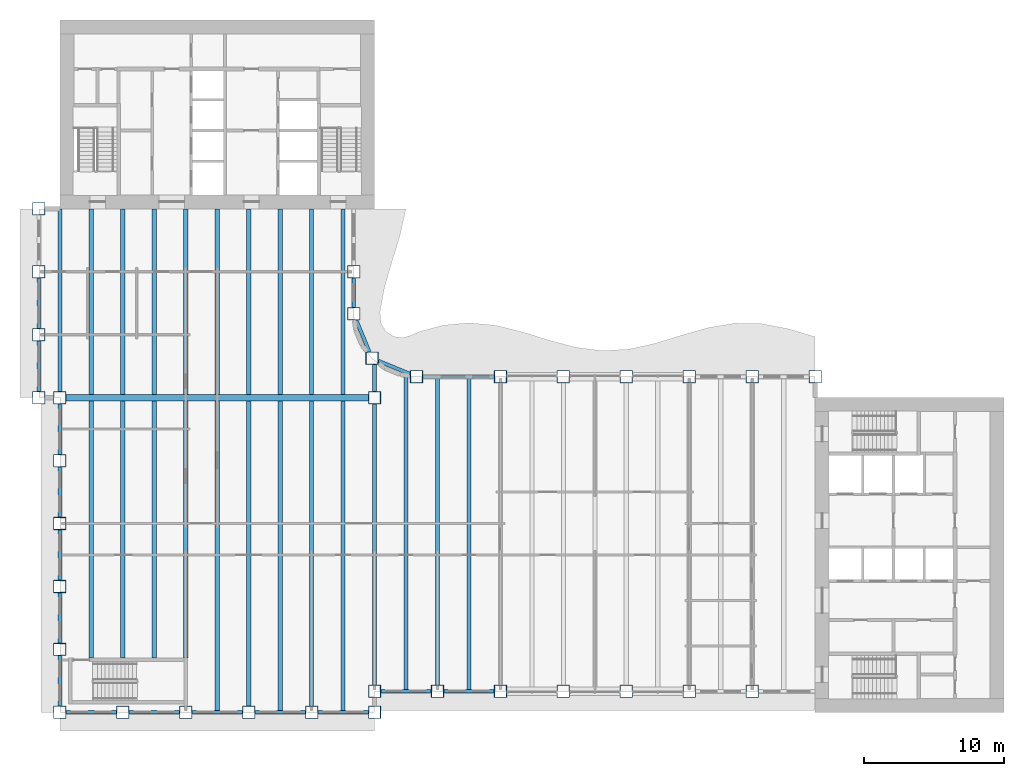
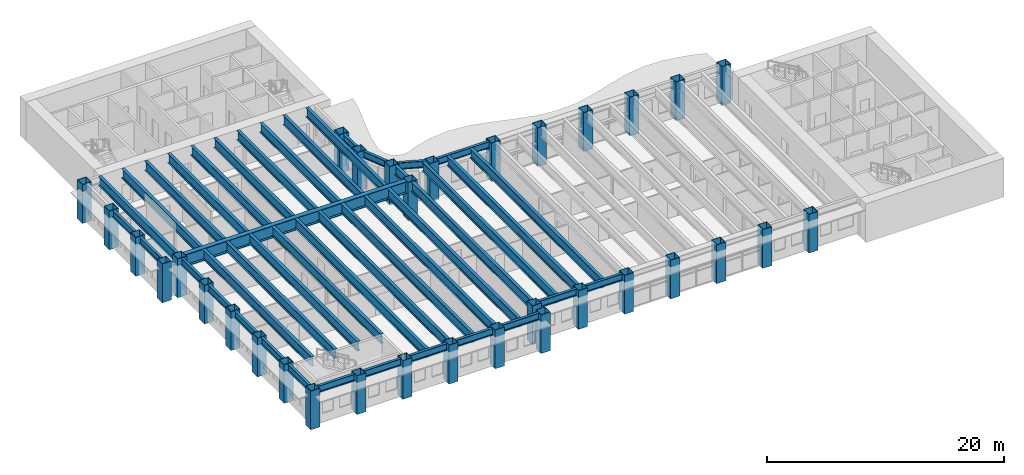
# One storey, part 1 of 17: 43 beams, 33 columns.
"""IFC4 building model written with IfcOpenShell, lengths in metres."""

from ifc_helpers import new_model, si_unit, direction, frame, origin, origin_2d, place, context, subcontext, project, spatial, hollow_rectangle, i_section, extrude, material, material_profile, profile_set, type_object, element, save


model = new_model("IFC4")

# Units and contexts
model_context = context("Model", 3, precision=1e-05, world=origin(), true_north=direction((0.0, 1.0)))
body_context = subcontext(model_context, "Body", "Model", "MODEL_VIEW")
ifc_project = project(units=[si_unit("LENGTHUNIT", "METRE"), si_unit("AREAUNIT", "SQUARE_METRE"), si_unit("VOLUMEUNIT", "CUBIC_METRE"), si_unit("PLANEANGLEUNIT", "RADIAN"), si_unit("MASSUNIT", "GRAM", prefix="KILO")], contexts=[model_context])

# Site, building, storey
site_placement = place(None, origin())
site = spatial("IfcSite", under=ifc_project, at=site_placement, CompositionType="ELEMENT")
building_placement = place(site_placement, origin())
building = spatial("IfcBuilding", under=site, at=building_placement, Name="Sennacour Bend Tower", CompositionType="ELEMENT")
storey_placement = place(building_placement, frame((0.0, 0.0, 155.0)))
storey = spatial("IfcBuildingStorey", under=building, at=storey_placement, Name="L35", CompositionType="ELEMENT", Elevation=155.0)

# Columns
ifc_material_1 = material(Name="Steel ASTM A572 Grade 50", Category="steel")
ifc_material_profile_1 = material_profile(ifc_material_1, hollow_rectangle(XDim=0.89990234375, YDim=0.89990234375, WallThickness=0.044921875, at=origin_2d()), Name="Steel ASTM A572 Grade 50", Category="steel")
ifc_profile_set_1 = profile_set([ifc_material_profile_1], Name="Steel ASTM A572 Grade 50")
column_type = type_object("IfcColumnType", Name="Box column 900", PredefinedType="COLUMN", material=ifc_profile_set_1)
for number, where, z_axis, x_axis, name in (
    (1, (-1.5, 22.5, -0.14990234375), (0.0, 0.0, 1.0), (1.0, 0.0, 0.0), "Perimeter column C3 L35-001"),
    (2, (-1.5, 27.0, -0.14990234375), (0.0, 0.0, 1.0), (1.0, 0.0, 0.0), "Perimeter column C3 L35-002"),
    (3, (-1.5, 31.5, -0.14990234375), (0.0, 0.0, 1.0), (1.0, 0.0, 0.0), "Perimeter column C3 L35-003"),
    (4, (-1.5, 36.0, -0.14990234375), (0.0, 0.0, 1.0), (1.0, 0.0, 0.0), "Perimeter column C3 L35-004"),
    (5, (0.0, 0.0, -0.14990234375), (0.0, 0.0, 1.0), (1.0, 0.0, 0.0), "Perimeter column C3 L35-005"),
    (6, (0.0, 4.5, -0.14990234375), (0.0, 0.0, 1.0), (1.0, 0.0, 0.0), "Perimeter column C3 L35-006"),
    (7, (0.0, 9.0, -0.14990234375), (0.0, 0.0, 1.0), (1.0, 0.0, 0.0), "Perimeter column C3 L35-007"),
    (8, (0.0, 13.5, -0.14990234375), (0.0, 0.0, 1.0), (1.0, 0.0, 0.0), "Perimeter column C3 L35-008"),
    (9, (0.0, 18.0, -0.14990234375), (0.0, 0.0, 1.0), (1.0, 0.0, 0.0), "Perimeter column C3 L35-009"),
    (10, (0.0, 22.5, -0.14990234375), (0.0, 0.0, 1.0), (1.0, 0.0, 0.0), "Perimeter column C3 L35-010"),
    (11, (4.5, 0.0, -0.14990234375), (0.0, 0.0, 1.0), (1.0, 0.0, 0.0), "Perimeter column C3 L35-011"),
    (12, (9.0, 0.0, -0.14990234375), (0.0, 0.0, 1.0), (1.0, 0.0, 0.0), "Perimeter column C3 L35-012"),
    (13, (13.5, 0.0, -0.14990234375), (0.0, 0.0, 1.0), (1.0, 0.0, 0.0), "Perimeter column C3 L35-013"),
    (14, (18.0, 0.0, -0.14990234375), (0.0, 0.0, 1.0), (1.0, 0.0, 0.0), "Perimeter column C3 L35-014"),
    (15, (21.0, 28.5, -0.14990234375), (0.0, 0.0, 1.0), (1.0, 0.0, 0.0), "Perimeter column C3 L35-015"),
    (16, (21.0, 31.5, -0.14990234375), (0.0, 0.0, 1.0), (1.0, 0.0, 0.0), "Perimeter column C3 L35-016"),
    (17, (22.318115234375, 25.318115234375, -0.14990234375), (0.0, 0.0, 1.0), (1.0, 0.0, 0.0), "Perimeter column C3 L35-017"),
    (18, (22.5, 0.0, -0.14990234375), (0.0, 0.0, 1.0), (1.0, 0.0, 0.0), "Perimeter column C3 L35-018"),
    (19, (22.5, 1.5, -0.14990234375), (0.0, 0.0, 1.0), (1.0, 0.0, 0.0), "Perimeter column C3 L35-019"),
    (20, (22.5, 22.5, -0.14990234375), (0.0, 0.0, 1.0), (1.0, 0.0, 0.0), "Knuckle column C3 L35-020"),
    (21, (25.5, 24.0, -0.14990234375), (0.0, 0.0, 1.0), (1.0, 0.0, 0.0), "Perimeter column C3 L35-021"),
    (22, (27.0, 1.5, -0.14990234375), (0.0, 0.0, 1.0), (1.0, 0.0, 0.0), "Perimeter column C3 L35-022"),
    (23, (31.5, 1.5, -0.14990234375), (0.0, 0.0, 1.0), (1.0, 0.0, 0.0), "Perimeter column C3 L35-023"),
    (24, (31.5, 24.0, -0.14990234375), (0.0, 0.0, 1.0), (1.0, 0.0, 0.0), "Perimeter column C3 L35-024"),
    (25, (36.0, 1.5, -0.14990234375), (0.0, 0.0, 1.0), (1.0, 0.0, 0.0), "Perimeter column C3 L35-025"),
    (26, (36.0, 24.0, -0.14990234375), (0.0, 0.0, 1.0), (1.0, 0.0, 0.0), "Perimeter column C3 L35-026"),
    (27, (40.5, 1.5, -0.14990234375), (0.0, 0.0, 1.0), (1.0, 0.0, 0.0), "Perimeter column C3 L35-027"),
    (28, (40.5, 24.0, -0.14990234375), (0.0, 0.0, 1.0), (1.0, 0.0, 0.0), "Perimeter column C3 L35-028"),
    (29, (45.0, 1.5, -0.14990234375), (0.0, 0.0, 1.0), (1.0, 0.0, 0.0), "Perimeter column C3 L35-029"),
    (30, (45.0, 24.0, -0.14990234375), (0.0, 0.0, 1.0), (1.0, 0.0, 0.0), "Perimeter column C3 L35-030"),
    (31, (49.5, 1.5, -0.14990234375), (0.0, 0.0, 1.0), (1.0, 0.0, 0.0), "Perimeter column C3 L35-031"),
    (32, (49.5, 24.0, -0.14990234375), (0.0, 0.0, 1.0), (1.0, 0.0, 0.0), "Perimeter column C3 L35-032"),
    (33, (54.0, 24.0, -0.14990234375), (0.0, 0.0, 1.0), (1.0, 0.0, 0.0), "Perimeter column C3 L35-033"),
):
    element("IfcColumn", number, at=place(storey_placement, frame(where, z_axis=z_axis, x_axis=x_axis)), inside=storey, type_object=column_type, Name=name, PredefinedType="COLUMN", context=body_context, shape_type="SweptSolid", body=[
        extrude(hollow_rectangle(XDim=0.89990234375, YDim=0.89990234375, WallThickness=0.044921875, at=origin_2d()), origin(), (0.0, 0.0, 1.0), 4.0),
    ])

# Beams
ifc_material_2 = material(Name="Steel ASTM A992 Grade 50", Category="steel")
ifc_material_profile_2 = material_profile(ifc_material_2, i_section(OverallWidth=0.300048828125, OverallDepth=0.97998046875, WebThickness=0.0166015625, FlangeThickness=0.026123046875, FilletRadius=0.02978515625, at=origin_2d()), Name="Steel ASTM A992 Grade 50", Category="steel")
ifc_profile_set_2 = profile_set([ifc_material_profile_2], Name="Steel ASTM A992 Grade 50")
beam_type_1 = type_object("IfcBeamType", Name="Floor beam W1000X249", PredefinedType="BEAM", material=ifc_profile_set_2)
beam_1_placement = place(storey_placement, frame((0.0, 22.949951171875, 3.360107421875), z_axis=(0.0, 1.0, 0.0), x_axis=(-1.0, 0.0, 0.0)))
element("IfcBeam", 34, at=beam_1_placement, inside=storey, type_object=beam_type_1, Name="Floor beam FBM2 L36-001", PredefinedType="BEAM", context=body_context, shape_type="SweptSolid", body=[
    extrude(i_section(OverallWidth=0.300048828125, OverallDepth=0.97998046875, WebThickness=0.0166015625, FlangeThickness=0.026123046875, FilletRadius=0.02978515625, at=origin_2d()), origin(), (0.0, 0.0, 1.0), 13.050048828125),
])
beam_2_placement = place(storey_placement, frame((2.25, 3.875, 3.360107421875), z_axis=(0.0, 1.0, 0.0), x_axis=(-1.0, 0.0, 0.0)))
element("IfcBeam", 35, at=beam_2_placement, inside=storey, type_object=beam_type_1, Name="Floor beam FBM2 L36-002", PredefinedType="BEAM", context=body_context, shape_type="SweptSolid", body=[
    extrude(i_section(OverallWidth=0.300048828125, OverallDepth=0.97998046875, WebThickness=0.0166015625, FlangeThickness=0.026123046875, FilletRadius=0.02978515625, at=origin_2d()), origin(), (0.0, 0.0, 1.0), 18.39990234375),
])
beam_3_placement = place(storey_placement, frame((2.25, 22.72509765625, 3.360107421875), z_axis=(0.0, 1.0, 0.0), x_axis=(-1.0, 0.0, 0.0)))
element("IfcBeam", 36, at=beam_3_placement, inside=storey, type_object=beam_type_1, Name="Floor beam FBM2 L36-003", PredefinedType="BEAM", context=body_context, shape_type="SweptSolid", body=[
    extrude(i_section(OverallWidth=0.300048828125, OverallDepth=0.97998046875, WebThickness=0.0166015625, FlangeThickness=0.026123046875, FilletRadius=0.02978515625, at=origin_2d()), origin(), (0.0, 0.0, 1.0), 13.27490234375),
])
beam_4_placement = place(storey_placement, frame((4.5, 3.875, 3.360107421875), z_axis=(0.0, 1.0, 0.0), x_axis=(-1.0, 0.0, 0.0)))
element("IfcBeam", 37, at=beam_4_placement, inside=storey, type_object=beam_type_1, Name="Floor beam FBM2 L36-004", PredefinedType="BEAM", context=body_context, shape_type="SweptSolid", body=[
    extrude(i_section(OverallWidth=0.300048828125, OverallDepth=0.97998046875, WebThickness=0.0166015625, FlangeThickness=0.026123046875, FilletRadius=0.02978515625, at=origin_2d()), origin(), (0.0, 0.0, 1.0), 18.39990234375),
])
beam_5_placement = place(storey_placement, frame((4.5, 22.72509765625, 3.360107421875), z_axis=(0.0, 1.0, 0.0), x_axis=(-1.0, 0.0, 0.0)))
element("IfcBeam", 38, at=beam_5_placement, inside=storey, type_object=beam_type_1, Name="Floor beam FBM2 L36-005", PredefinedType="BEAM", context=body_context, shape_type="SweptSolid", body=[
    extrude(i_section(OverallWidth=0.300048828125, OverallDepth=0.97998046875, WebThickness=0.0166015625, FlangeThickness=0.026123046875, FilletRadius=0.02978515625, at=origin_2d()), origin(), (0.0, 0.0, 1.0), 13.27490234375),
])
beam_6_placement = place(storey_placement, frame((6.75, 3.875, 3.360107421875), z_axis=(0.0, 1.0, 0.0), x_axis=(-1.0, 0.0, 0.0)))
element("IfcBeam", 39, at=beam_6_placement, inside=storey, type_object=beam_type_1, Name="Floor beam FBM2 L36-006", PredefinedType="BEAM", context=body_context, shape_type="SweptSolid", body=[
    extrude(i_section(OverallWidth=0.300048828125, OverallDepth=0.97998046875, WebThickness=0.0166015625, FlangeThickness=0.026123046875, FilletRadius=0.02978515625, at=origin_2d()), origin(), (0.0, 0.0, 1.0), 18.39990234375),
])
beam_7_placement = place(storey_placement, frame((6.75, 22.72509765625, 3.360107421875), z_axis=(0.0, 1.0, 0.0), x_axis=(-1.0, 0.0, 0.0)))
element("IfcBeam", 40, at=beam_7_placement, inside=storey, type_object=beam_type_1, Name="Floor beam FBM2 L36-007", PredefinedType="BEAM", context=body_context, shape_type="SweptSolid", body=[
    extrude(i_section(OverallWidth=0.300048828125, OverallDepth=0.97998046875, WebThickness=0.0166015625, FlangeThickness=0.026123046875, FilletRadius=0.02978515625, at=origin_2d()), origin(), (0.0, 0.0, 1.0), 13.27490234375),
])
beam_8_placement = place(storey_placement, frame((9.0, 3.875, 3.360107421875), z_axis=(0.0, 1.0, 0.0), x_axis=(-1.0, 0.0, 0.0)))
element("IfcBeam", 41, at=beam_8_placement, inside=storey, type_object=beam_type_1, Name="Floor beam FBM2 L36-008", PredefinedType="BEAM", context=body_context, shape_type="SweptSolid", body=[
    extrude(i_section(OverallWidth=0.300048828125, OverallDepth=0.97998046875, WebThickness=0.0166015625, FlangeThickness=0.026123046875, FilletRadius=0.02978515625, at=origin_2d()), origin(), (0.0, 0.0, 1.0), 18.39990234375),
])
beam_9_placement = place(storey_placement, frame((9.0, 22.72509765625, 3.360107421875), z_axis=(0.0, 1.0, 0.0), x_axis=(-1.0, 0.0, 0.0)))
element("IfcBeam", 42, at=beam_9_placement, inside=storey, type_object=beam_type_1, Name="Floor beam FBM2 L36-009", PredefinedType="BEAM", context=body_context, shape_type="SweptSolid", body=[
    extrude(i_section(OverallWidth=0.300048828125, OverallDepth=0.97998046875, WebThickness=0.0166015625, FlangeThickness=0.026123046875, FilletRadius=0.02978515625, at=origin_2d()), origin(), (0.0, 0.0, 1.0), 13.27490234375),
])
beam_10_placement = place(storey_placement, frame((11.25, 0.126953125, 3.360107421875), z_axis=(0.0, 1.0, 0.0), x_axis=(-1.0, 0.0, 0.0)))
element("IfcBeam", 43, at=beam_10_placement, inside=storey, type_object=beam_type_1, Name="Floor beam FBM2 L36-010", PredefinedType="BEAM", context=body_context, shape_type="SweptSolid", body=[
    extrude(i_section(OverallWidth=0.300048828125, OverallDepth=0.97998046875, WebThickness=0.0166015625, FlangeThickness=0.026123046875, FilletRadius=0.02978515625, at=origin_2d()), origin(), (0.0, 0.0, 1.0), 22.14794921875),
])
beam_11_placement = place(storey_placement, frame((11.25, 22.72509765625, 3.360107421875), z_axis=(0.0, 1.0, 0.0), x_axis=(-1.0, 0.0, 0.0)))
element("IfcBeam", 44, at=beam_11_placement, inside=storey, type_object=beam_type_1, Name="Floor beam FBM2 L36-011", PredefinedType="BEAM", context=body_context, shape_type="SweptSolid", body=[
    extrude(i_section(OverallWidth=0.300048828125, OverallDepth=0.97998046875, WebThickness=0.0166015625, FlangeThickness=0.026123046875, FilletRadius=0.02978515625, at=origin_2d()), origin(), (0.0, 0.0, 1.0), 13.27490234375),
])
beam_12_placement = place(storey_placement, frame((13.5, 0.449951171875, 3.360107421875), z_axis=(0.0, 1.0, 0.0), x_axis=(-1.0, 0.0, 0.0)))
element("IfcBeam", 45, at=beam_12_placement, inside=storey, type_object=beam_type_1, Name="Floor beam FBM2 L36-012", PredefinedType="BEAM", context=body_context, shape_type="SweptSolid", body=[
    extrude(i_section(OverallWidth=0.300048828125, OverallDepth=0.97998046875, WebThickness=0.0166015625, FlangeThickness=0.026123046875, FilletRadius=0.02978515625, at=origin_2d()), origin(), (0.0, 0.0, 1.0), 21.824951171875),
])
beam_13_placement = place(storey_placement, frame((13.5, 22.72509765625, 3.360107421875), z_axis=(0.0, 1.0, 0.0), x_axis=(-1.0, 0.0, 0.0)))
element("IfcBeam", 46, at=beam_13_placement, inside=storey, type_object=beam_type_1, Name="Floor beam FBM2 L36-013", PredefinedType="BEAM", context=body_context, shape_type="SweptSolid", body=[
    extrude(i_section(OverallWidth=0.300048828125, OverallDepth=0.97998046875, WebThickness=0.0166015625, FlangeThickness=0.026123046875, FilletRadius=0.02978515625, at=origin_2d()), origin(), (0.0, 0.0, 1.0), 13.27490234375),
])
beam_14_placement = place(storey_placement, frame((15.75, 0.126953125, 3.360107421875), z_axis=(0.0, 1.0, 0.0), x_axis=(-1.0, 0.0, 0.0)))
element("IfcBeam", 47, at=beam_14_placement, inside=storey, type_object=beam_type_1, Name="Floor beam FBM2 L36-014", PredefinedType="BEAM", context=body_context, shape_type="SweptSolid", body=[
    extrude(i_section(OverallWidth=0.300048828125, OverallDepth=0.97998046875, WebThickness=0.0166015625, FlangeThickness=0.026123046875, FilletRadius=0.02978515625, at=origin_2d()), origin(), (0.0, 0.0, 1.0), 22.14794921875),
])
beam_15_placement = place(storey_placement, frame((15.75, 22.72509765625, 3.360107421875), z_axis=(0.0, 1.0, 0.0), x_axis=(-1.0, 0.0, 0.0)))
element("IfcBeam", 48, at=beam_15_placement, inside=storey, type_object=beam_type_1, Name="Floor beam FBM2 L36-015", PredefinedType="BEAM", context=body_context, shape_type="SweptSolid", body=[
    extrude(i_section(OverallWidth=0.300048828125, OverallDepth=0.97998046875, WebThickness=0.0166015625, FlangeThickness=0.026123046875, FilletRadius=0.02978515625, at=origin_2d()), origin(), (0.0, 0.0, 1.0), 13.27490234375),
])
beam_16_placement = place(storey_placement, frame((18.0, 0.449951171875, 3.360107421875), z_axis=(0.0, 1.0, 0.0), x_axis=(-1.0, 0.0, 0.0)))
element("IfcBeam", 49, at=beam_16_placement, inside=storey, type_object=beam_type_1, Name="Floor beam FBM2 L36-016", PredefinedType="BEAM", context=body_context, shape_type="SweptSolid", body=[
    extrude(i_section(OverallWidth=0.300048828125, OverallDepth=0.97998046875, WebThickness=0.0166015625, FlangeThickness=0.026123046875, FilletRadius=0.02978515625, at=origin_2d()), origin(), (0.0, 0.0, 1.0), 21.824951171875),
])
beam_17_placement = place(storey_placement, frame((18.0, 22.72509765625, 3.360107421875), z_axis=(0.0, 1.0, 0.0), x_axis=(-1.0, 0.0, 0.0)))
element("IfcBeam", 50, at=beam_17_placement, inside=storey, type_object=beam_type_1, Name="Floor beam FBM2 L36-017", PredefinedType="BEAM", context=body_context, shape_type="SweptSolid", body=[
    extrude(i_section(OverallWidth=0.300048828125, OverallDepth=0.97998046875, WebThickness=0.0166015625, FlangeThickness=0.026123046875, FilletRadius=0.02978515625, at=origin_2d()), origin(), (0.0, 0.0, 1.0), 13.27490234375),
])
beam_18_placement = place(storey_placement, frame((20.25, 0.126953125, 3.360107421875), z_axis=(0.0, 1.0, 0.0), x_axis=(-1.0, 0.0, 0.0)))
element("IfcBeam", 51, at=beam_18_placement, inside=storey, type_object=beam_type_1, Name="Floor beam FBM2 L36-018", PredefinedType="BEAM", context=body_context, shape_type="SweptSolid", body=[
    extrude(i_section(OverallWidth=0.300048828125, OverallDepth=0.97998046875, WebThickness=0.0166015625, FlangeThickness=0.026123046875, FilletRadius=0.02978515625, at=origin_2d()), origin(), (0.0, 0.0, 1.0), 22.14794921875),
])
beam_19_placement = place(storey_placement, frame((20.25, 22.72509765625, 3.360107421875), z_axis=(0.0, 1.0, 0.0), x_axis=(-1.0, 0.0, 0.0)))
element("IfcBeam", 52, at=beam_19_placement, inside=storey, type_object=beam_type_1, Name="Floor beam FBM2 L36-019", PredefinedType="BEAM", context=body_context, shape_type="SweptSolid", body=[
    extrude(i_section(OverallWidth=0.300048828125, OverallDepth=0.97998046875, WebThickness=0.0166015625, FlangeThickness=0.026123046875, FilletRadius=0.02978515625, at=origin_2d()), origin(), (0.0, 0.0, 1.0), 13.27490234375),
])
beam_20_placement = place(storey_placement, frame((22.5, 1.949951171875, 3.360107421875), z_axis=(0.0, 1.0, 0.0), x_axis=(-1.0, 0.0, 0.0)))
element("IfcBeam", 53, at=beam_20_placement, inside=storey, type_object=beam_type_1, Name="Floor beam FBM2 L36-020", PredefinedType="BEAM", context=body_context, shape_type="SweptSolid", body=[
    extrude(i_section(OverallWidth=0.300048828125, OverallDepth=0.97998046875, WebThickness=0.0166015625, FlangeThickness=0.026123046875, FilletRadius=0.02978515625, at=origin_2d()), origin(), (0.0, 0.0, 1.0), 20.10009765625),
])
beam_21_placement = place(storey_placement, frame((22.5, 22.949951171875, 3.360107421875), z_axis=(0.0, 1.0, 0.0), x_axis=(-1.0, 0.0, 0.0)))
element("IfcBeam", 54, at=beam_21_placement, inside=storey, type_object=beam_type_1, Name="Floor beam FBM2 L36-021", PredefinedType="BEAM", context=body_context, shape_type="SweptSolid", body=[
    extrude(i_section(OverallWidth=0.300048828125, OverallDepth=0.97998046875, WebThickness=0.0166015625, FlangeThickness=0.026123046875, FilletRadius=0.02978515625, at=origin_2d()), origin(), (0.0, 0.0, 1.0), 1.91796875),
])
beam_22_placement = place(storey_placement, frame((24.75, 1.626953125, 3.360107421875), z_axis=(0.0, 1.0, 0.0), x_axis=(-1.0, 0.0, 0.0)))
element("IfcBeam", 55, at=beam_22_placement, inside=storey, type_object=beam_type_1, Name="Floor beam FBM2 L36-022", PredefinedType="BEAM", context=body_context, shape_type="SweptSolid", body=[
    extrude(i_section(OverallWidth=0.300048828125, OverallDepth=0.97998046875, WebThickness=0.0166015625, FlangeThickness=0.026123046875, FilletRadius=0.02978515625, at=origin_2d()), origin(), (0.0, 0.0, 1.0), 22.546142578125),
])
beam_23_placement = place(storey_placement, frame((27.0, 1.949951171875, 3.360107421875), z_axis=(0.0, 1.0, 0.0), x_axis=(-1.0, 0.0, 0.0)))
element("IfcBeam", 56, at=beam_23_placement, inside=storey, type_object=beam_type_1, Name="Floor beam FBM2 L36-023", PredefinedType="BEAM", context=body_context, shape_type="SweptSolid", body=[
    extrude(i_section(OverallWidth=0.300048828125, OverallDepth=0.97998046875, WebThickness=0.0166015625, FlangeThickness=0.026123046875, FilletRadius=0.02978515625, at=origin_2d()), origin(), (0.0, 0.0, 1.0), 21.923095703125),
])
beam_24_placement = place(storey_placement, frame((29.25, 1.626953125, 3.360107421875), z_axis=(0.0, 1.0, 0.0), x_axis=(-1.0, 0.0, 0.0)))
element("IfcBeam", 57, at=beam_24_placement, inside=storey, type_object=beam_type_1, Name="Floor beam FBM2 L36-024", PredefinedType="BEAM", context=body_context, shape_type="SweptSolid", body=[
    extrude(i_section(OverallWidth=0.300048828125, OverallDepth=0.97998046875, WebThickness=0.0166015625, FlangeThickness=0.026123046875, FilletRadius=0.02978515625, at=origin_2d()), origin(), (0.0, 0.0, 1.0), 22.24609375),
])
ifc_material_profile_3 = material_profile(ifc_material_1, i_section(OverallWidth=0.449951171875, OverallDepth=1.25, WebThickness=0.028076171875, FlangeThickness=0.050048828125, at=origin_2d()), Name="Steel ASTM A572 Grade 50", Category="steel")
ifc_profile_set_3 = profile_set([ifc_material_profile_3], Name="Steel ASTM A572 Grade 50")
beam_type_2 = type_object("IfcBeamType", Name="Knuckle girder 1250", PredefinedType="USERDEFINED", material=ifc_profile_set_3)
beam_25_placement = place(storey_placement, frame((0.449951171875, 22.5, 3.22509765625), z_axis=(1.0, 0.0, 0.0), x_axis=(0.0, 1.0, 0.0)))
element("IfcBeam", 58, at=beam_25_placement, inside=storey, type_object=beam_type_2, Name="Knuckle girder GK L36-001", ObjectType="KNUCKLE GIRDER", PredefinedType="USERDEFINED", context=body_context, shape_type="SweptSolid", body=[
    extrude(i_section(OverallWidth=0.449951171875, OverallDepth=1.25, WebThickness=0.028076171875, FlangeThickness=0.050048828125, at=origin_2d()), origin(), (0.0, 0.0, 1.0), 21.60009765625),
])
ifc_material_profile_4 = material_profile(ifc_material_2, i_section(OverallWidth=0.25390625, OverallDepth=0.700927734375, WebThickness=0.015380859375, FlangeThickness=0.02783203125, FilletRadius=0.015380859375, at=origin_2d()), Name="Steel ASTM A992 Grade 50", Category="steel")
ifc_profile_set_4 = profile_set([ifc_material_profile_4], Name="Steel ASTM A992 Grade 50")
beam_type_3 = type_object("IfcBeamType", Name="Spandrel beam W690X192", PredefinedType="SPANDREL", material=ifc_profile_set_4)
for number, where, z_axis, x_axis, name in (
    (59, (0.0, 0.449951171875, 3.49951171875), (0.0, 1.0, 0.0), (-1.0, 0.0, 0.0), "Spandrel beam SP4 L36-001"),
    (60, (0.0, 4.949951171875, 3.49951171875), (0.0, 1.0, 0.0), (-1.0, 0.0, 0.0), "Spandrel beam SP4 L36-002"),
    (61, (0.0, 9.449951171875, 3.49951171875), (0.0, 1.0, 0.0), (-1.0, 0.0, 0.0), "Spandrel beam SP4 L36-003"),
    (62, (0.0, 13.949951171875, 3.49951171875), (0.0, 1.0, 0.0), (-1.0, 0.0, 0.0), "Spandrel beam SP4 L36-004"),
    (63, (0.0, 18.449951171875, 3.49951171875), (0.0, 1.0, 0.0), (-1.0, 0.0, 0.0), "Spandrel beam SP4 L36-005"),
    (64, (-1.5, 22.949951171875, 3.49951171875), (0.0, 1.0, 0.0), (-1.0, 0.0, 0.0), "Spandrel beam SP4 L36-006"),
    (65, (-1.5, 27.449951171875, 3.49951171875), (0.0, 1.0, 0.0), (-1.0, 0.0, 0.0), "Spandrel beam SP4 L36-007"),
):
    element("IfcBeam", number, at=place(storey_placement, frame(where, z_axis=z_axis, x_axis=x_axis)), inside=storey, type_object=beam_type_3, Name=name, PredefinedType="SPANDREL", context=body_context, shape_type="SweptSolid", body=[
        extrude(i_section(OverallWidth=0.25390625, OverallDepth=0.700927734375, WebThickness=0.015380859375, FlangeThickness=0.02783203125, FilletRadius=0.015380859375, at=origin_2d()), origin(), (0.0, 0.0, 1.0), 3.60009765625),
    ])
beam_26_placement = place(storey_placement, frame((21.0, 31.050048828125, 3.49951171875), z_axis=(0.0, -1.0, 0.0), x_axis=(1.0, 0.0, 0.0)))
element("IfcBeam", 66, at=beam_26_placement, inside=storey, type_object=beam_type_3, Name="Spandrel beam SP4 L36-011", PredefinedType="SPANDREL", context=body_context, shape_type="SweptSolid", body=[
    extrude(i_section(OverallWidth=0.25390625, OverallDepth=0.700927734375, WebThickness=0.015380859375, FlangeThickness=0.02783203125, FilletRadius=0.015380859375, at=origin_2d()), origin(), (0.0, 0.0, 1.0), 2.10009765625),
])
for number, where, z_axis, x_axis, name in (
    (67, (21.186279296875, 28.050048828125, 3.49951171875), (0.382712608723, -0.923867446728, 0.0), (0.923867446728, 0.382712608723, 0.0), "Spandrel beam SP4 L36-012"),
    (68, (22.76806640625, 25.131591796875, 3.49951171875), (0.923867446728, -0.382712608723, 0.0), (0.382712608723, 0.923867446728, 0.0), "Spandrel beam SP4 L36-013"),
):
    element("IfcBeam", number, at=place(storey_placement, frame(where, z_axis=z_axis, x_axis=x_axis)), inside=storey, type_object=beam_type_3, Name=name, PredefinedType="SPANDREL", context=body_context, shape_type="SweptSolid", body=[
        extrude(i_section(OverallWidth=0.25390625, OverallDepth=0.700927734375, WebThickness=0.015380859375, FlangeThickness=0.02783203125, FilletRadius=0.015380859375, at=origin_2d()), origin(), (0.0, 0.0, 1.0), 2.469970703125),
    ])
beam_27_placement = place(storey_placement, frame((25.949951171875, 24.0, 3.49951171875), z_axis=(1.0, 0.0, 0.0), x_axis=(0.0, 1.0, 0.0)))
element("IfcBeam", 69, at=beam_27_placement, inside=storey, type_object=beam_type_3, Name="Spandrel beam SP4 L36-014", PredefinedType="SPANDREL", context=body_context, shape_type="SweptSolid", body=[
    extrude(i_section(OverallWidth=0.25390625, OverallDepth=0.700927734375, WebThickness=0.015380859375, FlangeThickness=0.02783203125, FilletRadius=0.015380859375, at=origin_2d()), origin(), (0.0, 0.0, 1.0), 5.10009765625),
])
for number, where, z_axis, x_axis, name in (
    (70, (31.050048828125, 1.5, 3.49951171875), (-1.0, 0.0, 0.0), (0.0, -1.0, 0.0), "Spandrel beam SP4 L36-020"),
    (71, (26.550048828125, 1.5, 3.49951171875), (-1.0, 0.0, 0.0), (0.0, -1.0, 0.0), "Spandrel beam SP4 L36-021"),
    (72, (22.050048828125, 0.0, 3.49951171875), (-1.0, 0.0, 0.0), (0.0, -1.0, 0.0), "Spandrel beam SP4 L36-022"),
    (73, (17.550048828125, 0.0, 3.49951171875), (-1.0, 0.0, 0.0), (0.0, -1.0, 0.0), "Spandrel beam SP4 L36-023"),
    (74, (13.050048828125, 0.0, 3.49951171875), (-1.0, 0.0, 0.0), (0.0, -1.0, 0.0), "Spandrel beam SP4 L36-024"),
    (75, (8.550048828125, 0.0, 3.49951171875), (-1.0, 0.0, 0.0), (0.0, -1.0, 0.0), "Spandrel beam SP4 L36-025"),
    (76, (4.050048828125, 0.0, 3.49951171875), (-1.0, 0.0, 0.0), (0.0, -1.0, 0.0), "Spandrel beam SP4 L36-026"),
):
    element("IfcBeam", number, at=place(storey_placement, frame(where, z_axis=z_axis, x_axis=x_axis)), inside=storey, type_object=beam_type_3, Name=name, PredefinedType="SPANDREL", context=body_context, shape_type="SweptSolid", body=[
        extrude(i_section(OverallWidth=0.25390625, OverallDepth=0.700927734375, WebThickness=0.015380859375, FlangeThickness=0.02783203125, FilletRadius=0.015380859375, at=origin_2d()), origin(), (0.0, 0.0, 1.0), 3.60009765625),
    ])

save(model, "model.ifc")
